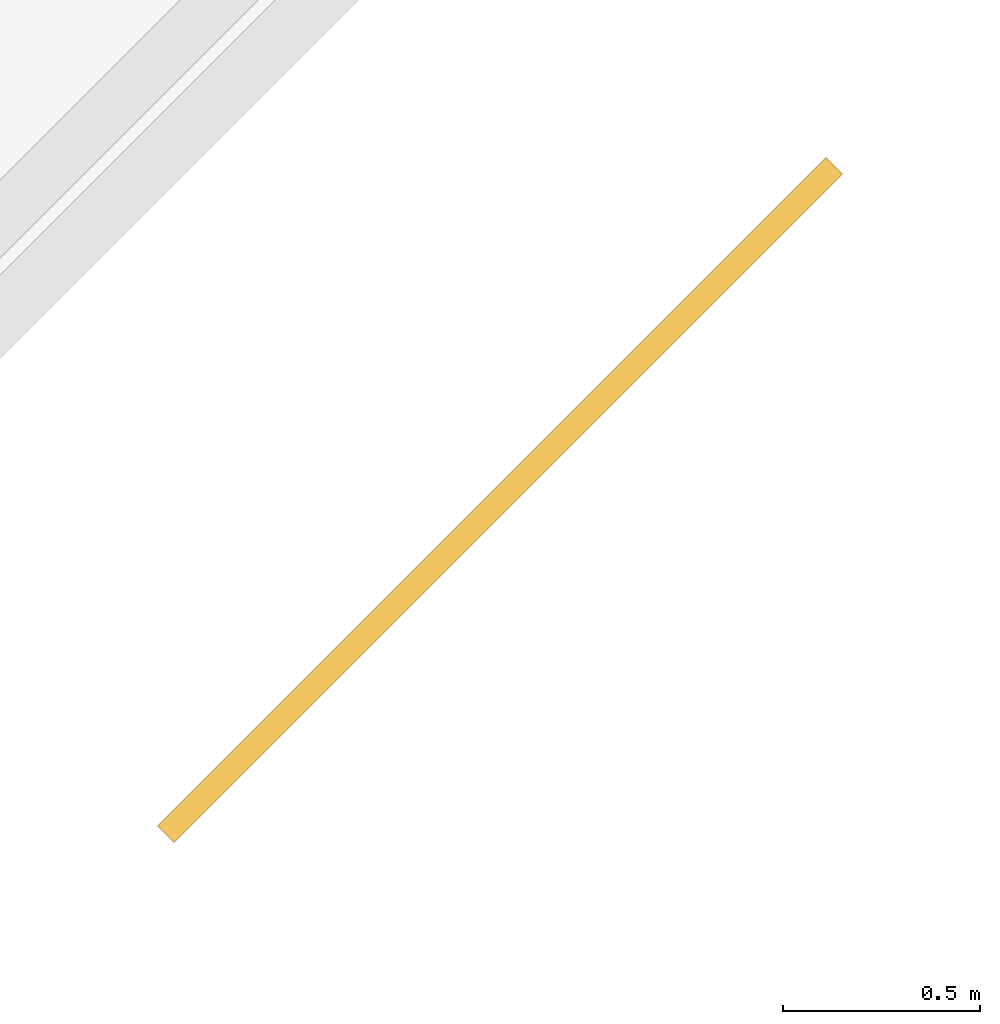
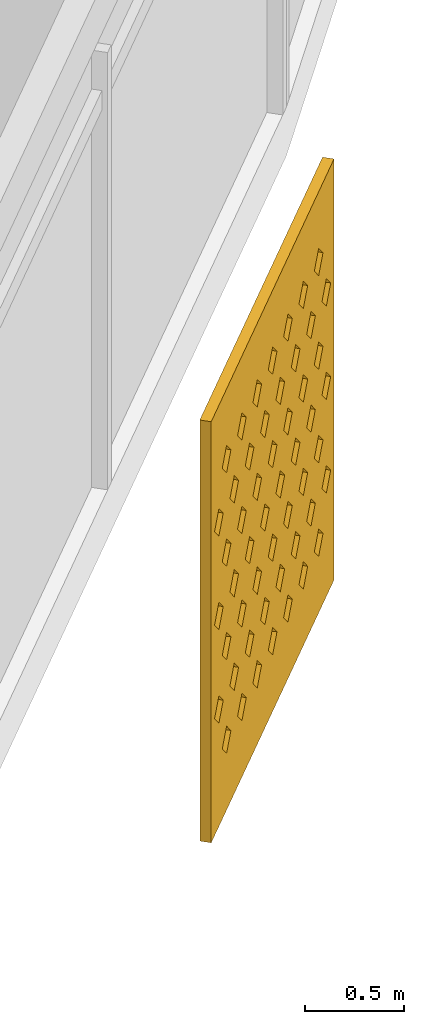
# One storey, part 30 of 30: 1 shading device.
"""IFC4 building model written with IfcOpenShell, lengths in metres."""

from ifc_helpers import new_model, si_unit, direction, frame, origin, place, context, subcontext, project, spatial, polyline, outline, extrude, material, material_profile, profile_set, type_object, element, save


model = new_model("IFC4")

# Units and contexts
model_context = context("Model", 3, precision=1e-05, world=origin(), true_north=direction((0.0, 1.0)))
body_context = subcontext(model_context, "Body", "Model", "MODEL_VIEW")
ifc_project = project(units=[si_unit("LENGTHUNIT", "METRE"), si_unit("AREAUNIT", "SQUARE_METRE"), si_unit("VOLUMEUNIT", "CUBIC_METRE"), si_unit("PLANEANGLEUNIT", "RADIAN"), si_unit("MASSUNIT", "GRAM", prefix="KILO")], contexts=[model_context])

# Site, building, storey
site_placement = place(None, origin())
site = spatial("IfcSite", under=ifc_project, at=site_placement, CompositionType="ELEMENT")
building_placement = place(site_placement, origin())
building = spatial("IfcBuilding", under=site, at=building_placement, Name="Qamariyya Broadcast Tower", CompositionType="ELEMENT")
storey_placement = place(building_placement, frame((0.0, 0.0, 98.699951171875)))
storey = spatial("IfcBuildingStorey", under=building, at=storey_placement, Name="L21", CompositionType="ELEMENT", Elevation=98.699951171875)

# Shading device
ifc_material = material(Name="Perforated glazed terracotta", Category="masonry")
ifc_material_profile = material_profile(ifc_material, outline(polyline([(-1.199951171875, -1.300048828125), (1.199951171875, -1.300048828125), (1.199951171875, 1.300048828125), (-1.199951171875, 1.300048828125), (-1.199951171875, -1.300048828125)]), holes=[polyline([(-0.81494140625, -0.86669921875), (-0.89990234375, -0.78173828125), (-0.985107421875, -0.86669921875), (-0.89990234375, -0.95166015625), (-0.81494140625, -0.86669921875)]), polyline([(-0.514892578125, -0.86669921875), (-0.60009765625, -0.78173828125), (-0.68505859375, -0.86669921875), (-0.60009765625, -0.95166015625), (-0.514892578125, -0.86669921875)]), polyline([(-0.215087890625, -0.86669921875), (-0.300048828125, -0.78173828125), (-0.385009765625, -0.86669921875), (-0.300048828125, -0.95166015625), (-0.215087890625, -0.86669921875)]), polyline([(0.0849609375, -0.86669921875), (0.0, -0.78173828125), (-0.0849609375, -0.86669921875), (0.0, -0.95166015625), (0.0849609375, -0.86669921875)]), polyline([(0.385009765625, -0.86669921875), (0.300048828125, -0.78173828125), (0.215087890625, -0.86669921875), (0.300048828125, -0.95166015625), (0.385009765625, -0.86669921875)]), polyline([(0.68505859375, -0.86669921875), (0.60009765625, -0.78173828125), (0.514892578125, -0.86669921875), (0.60009765625, -0.95166015625), (0.68505859375, -0.86669921875)]), polyline([(0.985107421875, -0.86669921875), (0.89990234375, -0.78173828125), (0.81494140625, -0.86669921875), (0.89990234375, -0.95166015625), (0.985107421875, -0.86669921875)]), polyline([(-0.965087890625, -0.577880859375), (-1.050048828125, -0.49267578125), (-1.135009765625, -0.577880859375), (-1.050048828125, -0.662841796875), (-0.965087890625, -0.577880859375)]), polyline([(-0.6650390625, -0.577880859375), (-0.75, -0.49267578125), (-0.8349609375, -0.577880859375), (-0.75, -0.662841796875), (-0.6650390625, -0.577880859375)]), polyline([(-0.364990234375, -0.577880859375), (-0.449951171875, -0.49267578125), (-0.534912109375, -0.577880859375), (-0.449951171875, -0.662841796875), (-0.364990234375, -0.577880859375)]), polyline([(-0.06494140625, -0.577880859375), (-0.14990234375, -0.49267578125), (-0.235107421875, -0.577880859375), (-0.14990234375, -0.662841796875), (-0.06494140625, -0.577880859375)]), polyline([(0.235107421875, -0.577880859375), (0.14990234375, -0.49267578125), (0.06494140625, -0.577880859375), (0.14990234375, -0.662841796875), (0.235107421875, -0.577880859375)]), polyline([(0.534912109375, -0.577880859375), (0.449951171875, -0.49267578125), (0.364990234375, -0.577880859375), (0.449951171875, -0.662841796875), (0.534912109375, -0.577880859375)]), polyline([(0.8349609375, -0.577880859375), (0.75, -0.49267578125), (0.6650390625, -0.577880859375), (0.75, -0.662841796875), (0.8349609375, -0.577880859375)]), polyline([(1.135009765625, -0.577880859375), (1.050048828125, -0.49267578125), (0.965087890625, -0.577880859375), (1.050048828125, -0.662841796875), (1.135009765625, -0.577880859375)]), polyline([(-0.81494140625, -0.288818359375), (-0.89990234375, -0.203857421875), (-0.985107421875, -0.288818359375), (-0.89990234375, -0.373779296875), (-0.81494140625, -0.288818359375)]), polyline([(-0.514892578125, -0.288818359375), (-0.60009765625, -0.203857421875), (-0.68505859375, -0.288818359375), (-0.60009765625, -0.373779296875), (-0.514892578125, -0.288818359375)]), polyline([(-0.215087890625, -0.288818359375), (-0.300048828125, -0.203857421875), (-0.385009765625, -0.288818359375), (-0.300048828125, -0.373779296875), (-0.215087890625, -0.288818359375)]), polyline([(0.0849609375, -0.288818359375), (0.0, -0.203857421875), (-0.0849609375, -0.288818359375), (0.0, -0.373779296875), (0.0849609375, -0.288818359375)]), polyline([(0.385009765625, -0.288818359375), (0.300048828125, -0.203857421875), (0.215087890625, -0.288818359375), (0.300048828125, -0.373779296875), (0.385009765625, -0.288818359375)]), polyline([(0.68505859375, -0.288818359375), (0.60009765625, -0.203857421875), (0.514892578125, -0.288818359375), (0.60009765625, -0.373779296875), (0.68505859375, -0.288818359375)]), polyline([(0.985107421875, -0.288818359375), (0.89990234375, -0.203857421875), (0.81494140625, -0.288818359375), (0.89990234375, -0.373779296875), (0.985107421875, -0.288818359375)]), polyline([(-0.965087890625, 0.0), (-1.050048828125, 0.0849609375), (-1.135009765625, 0.0), (-1.050048828125, -0.0849609375), (-0.965087890625, 0.0)]), polyline([(-0.6650390625, 0.0), (-0.75, 0.0849609375), (-0.8349609375, 0.0), (-0.75, -0.0849609375), (-0.6650390625, 0.0)]), polyline([(-0.364990234375, 0.0), (-0.449951171875, 0.0849609375), (-0.534912109375, 0.0), (-0.449951171875, -0.0849609375), (-0.364990234375, 0.0)]), polyline([(-0.06494140625, 0.0), (-0.14990234375, 0.0849609375), (-0.235107421875, 0.0), (-0.14990234375, -0.0849609375), (-0.06494140625, 0.0)]), polyline([(0.235107421875, 0.0), (0.14990234375, 0.0849609375), (0.06494140625, 0.0), (0.14990234375, -0.0849609375), (0.235107421875, 0.0)]), polyline([(0.534912109375, 0.0), (0.449951171875, 0.0849609375), (0.364990234375, 0.0), (0.449951171875, -0.0849609375), (0.534912109375, 0.0)]), polyline([(0.8349609375, 0.0), (0.75, 0.0849609375), (0.6650390625, 0.0), (0.75, -0.0849609375), (0.8349609375, 0.0)]), polyline([(1.135009765625, 0.0), (1.050048828125, 0.0849609375), (0.965087890625, 0.0), (1.050048828125, -0.0849609375), (1.135009765625, 0.0)]), polyline([(-0.81494140625, 0.288818359375), (-0.89990234375, 0.373779296875), (-0.985107421875, 0.288818359375), (-0.89990234375, 0.203857421875), (-0.81494140625, 0.288818359375)]), polyline([(-0.514892578125, 0.288818359375), (-0.60009765625, 0.373779296875), (-0.68505859375, 0.288818359375), (-0.60009765625, 0.203857421875), (-0.514892578125, 0.288818359375)]), polyline([(-0.215087890625, 0.288818359375), (-0.300048828125, 0.373779296875), (-0.385009765625, 0.288818359375), (-0.300048828125, 0.203857421875), (-0.215087890625, 0.288818359375)]), polyline([(0.0849609375, 0.288818359375), (0.0, 0.373779296875), (-0.0849609375, 0.288818359375), (0.0, 0.203857421875), (0.0849609375, 0.288818359375)]), polyline([(0.385009765625, 0.288818359375), (0.300048828125, 0.373779296875), (0.215087890625, 0.288818359375), (0.300048828125, 0.203857421875), (0.385009765625, 0.288818359375)]), polyline([(0.68505859375, 0.288818359375), (0.60009765625, 0.373779296875), (0.514892578125, 0.288818359375), (0.60009765625, 0.203857421875), (0.68505859375, 0.288818359375)]), polyline([(0.985107421875, 0.288818359375), (0.89990234375, 0.373779296875), (0.81494140625, 0.288818359375), (0.89990234375, 0.203857421875), (0.985107421875, 0.288818359375)]), polyline([(-0.965087890625, 0.577880859375), (-1.050048828125, 0.662841796875), (-1.135009765625, 0.577880859375), (-1.050048828125, 0.49267578125), (-0.965087890625, 0.577880859375)]), polyline([(-0.6650390625, 0.577880859375), (-0.75, 0.662841796875), (-0.8349609375, 0.577880859375), (-0.75, 0.49267578125), (-0.6650390625, 0.577880859375)]), polyline([(-0.364990234375, 0.577880859375), (-0.449951171875, 0.662841796875), (-0.534912109375, 0.577880859375), (-0.449951171875, 0.49267578125), (-0.364990234375, 0.577880859375)]), polyline([(-0.06494140625, 0.577880859375), (-0.14990234375, 0.662841796875), (-0.235107421875, 0.577880859375), (-0.14990234375, 0.49267578125), (-0.06494140625, 0.577880859375)]), polyline([(0.235107421875, 0.577880859375), (0.14990234375, 0.662841796875), (0.06494140625, 0.577880859375), (0.14990234375, 0.49267578125), (0.235107421875, 0.577880859375)]), polyline([(0.534912109375, 0.577880859375), (0.449951171875, 0.662841796875), (0.364990234375, 0.577880859375), (0.449951171875, 0.49267578125), (0.534912109375, 0.577880859375)]), polyline([(0.8349609375, 0.577880859375), (0.75, 0.662841796875), (0.6650390625, 0.577880859375), (0.75, 0.49267578125), (0.8349609375, 0.577880859375)]), polyline([(1.135009765625, 0.577880859375), (1.050048828125, 0.662841796875), (0.965087890625, 0.577880859375), (1.050048828125, 0.49267578125), (1.135009765625, 0.577880859375)]), polyline([(-0.81494140625, 0.86669921875), (-0.89990234375, 0.95166015625), (-0.985107421875, 0.86669921875), (-0.89990234375, 0.78173828125), (-0.81494140625, 0.86669921875)]), polyline([(-0.514892578125, 0.86669921875), (-0.60009765625, 0.95166015625), (-0.68505859375, 0.86669921875), (-0.60009765625, 0.78173828125), (-0.514892578125, 0.86669921875)]), polyline([(-0.215087890625, 0.86669921875), (-0.300048828125, 0.95166015625), (-0.385009765625, 0.86669921875), (-0.300048828125, 0.78173828125), (-0.215087890625, 0.86669921875)]), polyline([(0.0849609375, 0.86669921875), (0.0, 0.95166015625), (-0.0849609375, 0.86669921875), (0.0, 0.78173828125), (0.0849609375, 0.86669921875)]), polyline([(0.385009765625, 0.86669921875), (0.300048828125, 0.95166015625), (0.215087890625, 0.86669921875), (0.300048828125, 0.78173828125), (0.385009765625, 0.86669921875)]), polyline([(0.68505859375, 0.86669921875), (0.60009765625, 0.95166015625), (0.514892578125, 0.86669921875), (0.60009765625, 0.78173828125), (0.68505859375, 0.86669921875)]), polyline([(0.985107421875, 0.86669921875), (0.89990234375, 0.95166015625), (0.81494140625, 0.86669921875), (0.89990234375, 0.78173828125), (0.985107421875, 0.86669921875)])]))
ifc_profile_set = profile_set([ifc_material_profile], Name="Perforated glazed terracotta")
shading_device_type = type_object("IfcShadingDeviceType", Name="Perforated terracotta screen 2400 x 2600", PredefinedType="USERDEFINED", material=ifc_profile_set)
shading_device_placement = place(storey_placement, frame((56.818603515625, -56.884521484375, 1.35009765625), z_axis=(0.707106781187, -0.707106781187, 0.0), x_axis=(0.707106781187, 0.707106781187, 0.0)))
element("IfcShadingDevice", 1, at=shading_device_placement, inside=storey, type_object=shading_device_type, Name="e-scr-L21-15-1", ObjectType="SCREEN", PredefinedType="USERDEFINED", context=body_context, shape_type="SweptSolid", body=[
    extrude(outline(polyline([(-1.199951171875, -1.300048828125), (1.199951171875, -1.300048828125), (1.199951171875, 1.300048828125), (-1.199951171875, 1.300048828125), (-1.199951171875, -1.300048828125)]), holes=[polyline([(-0.81494140625, -0.86669921875), (-0.89990234375, -0.78173828125), (-0.985107421875, -0.86669921875), (-0.89990234375, -0.95166015625), (-0.81494140625, -0.86669921875)]), polyline([(-0.514892578125, -0.86669921875), (-0.60009765625, -0.78173828125), (-0.68505859375, -0.86669921875), (-0.60009765625, -0.95166015625), (-0.514892578125, -0.86669921875)]), polyline([(-0.215087890625, -0.86669921875), (-0.300048828125, -0.78173828125), (-0.385009765625, -0.86669921875), (-0.300048828125, -0.95166015625), (-0.215087890625, -0.86669921875)]), polyline([(0.0849609375, -0.86669921875), (0.0, -0.78173828125), (-0.0849609375, -0.86669921875), (0.0, -0.95166015625), (0.0849609375, -0.86669921875)]), polyline([(0.385009765625, -0.86669921875), (0.300048828125, -0.78173828125), (0.215087890625, -0.86669921875), (0.300048828125, -0.95166015625), (0.385009765625, -0.86669921875)]), polyline([(0.68505859375, -0.86669921875), (0.60009765625, -0.78173828125), (0.514892578125, -0.86669921875), (0.60009765625, -0.95166015625), (0.68505859375, -0.86669921875)]), polyline([(0.985107421875, -0.86669921875), (0.89990234375, -0.78173828125), (0.81494140625, -0.86669921875), (0.89990234375, -0.95166015625), (0.985107421875, -0.86669921875)]), polyline([(-0.965087890625, -0.577880859375), (-1.050048828125, -0.49267578125), (-1.135009765625, -0.577880859375), (-1.050048828125, -0.662841796875), (-0.965087890625, -0.577880859375)]), polyline([(-0.6650390625, -0.577880859375), (-0.75, -0.49267578125), (-0.8349609375, -0.577880859375), (-0.75, -0.662841796875), (-0.6650390625, -0.577880859375)]), polyline([(-0.364990234375, -0.577880859375), (-0.449951171875, -0.49267578125), (-0.534912109375, -0.577880859375), (-0.449951171875, -0.662841796875), (-0.364990234375, -0.577880859375)]), polyline([(-0.06494140625, -0.577880859375), (-0.14990234375, -0.49267578125), (-0.235107421875, -0.577880859375), (-0.14990234375, -0.662841796875), (-0.06494140625, -0.577880859375)]), polyline([(0.235107421875, -0.577880859375), (0.14990234375, -0.49267578125), (0.06494140625, -0.577880859375), (0.14990234375, -0.662841796875), (0.235107421875, -0.577880859375)]), polyline([(0.534912109375, -0.577880859375), (0.449951171875, -0.49267578125), (0.364990234375, -0.577880859375), (0.449951171875, -0.662841796875), (0.534912109375, -0.577880859375)]), polyline([(0.8349609375, -0.577880859375), (0.75, -0.49267578125), (0.6650390625, -0.577880859375), (0.75, -0.662841796875), (0.8349609375, -0.577880859375)]), polyline([(1.135009765625, -0.577880859375), (1.050048828125, -0.49267578125), (0.965087890625, -0.577880859375), (1.050048828125, -0.662841796875), (1.135009765625, -0.577880859375)]), polyline([(-0.81494140625, -0.288818359375), (-0.89990234375, -0.203857421875), (-0.985107421875, -0.288818359375), (-0.89990234375, -0.373779296875), (-0.81494140625, -0.288818359375)]), polyline([(-0.514892578125, -0.288818359375), (-0.60009765625, -0.203857421875), (-0.68505859375, -0.288818359375), (-0.60009765625, -0.373779296875), (-0.514892578125, -0.288818359375)]), polyline([(-0.215087890625, -0.288818359375), (-0.300048828125, -0.203857421875), (-0.385009765625, -0.288818359375), (-0.300048828125, -0.373779296875), (-0.215087890625, -0.288818359375)]), polyline([(0.0849609375, -0.288818359375), (0.0, -0.203857421875), (-0.0849609375, -0.288818359375), (0.0, -0.373779296875), (0.0849609375, -0.288818359375)]), polyline([(0.385009765625, -0.288818359375), (0.300048828125, -0.203857421875), (0.215087890625, -0.288818359375), (0.300048828125, -0.373779296875), (0.385009765625, -0.288818359375)]), polyline([(0.68505859375, -0.288818359375), (0.60009765625, -0.203857421875), (0.514892578125, -0.288818359375), (0.60009765625, -0.373779296875), (0.68505859375, -0.288818359375)]), polyline([(0.985107421875, -0.288818359375), (0.89990234375, -0.203857421875), (0.81494140625, -0.288818359375), (0.89990234375, -0.373779296875), (0.985107421875, -0.288818359375)]), polyline([(-0.965087890625, 0.0), (-1.050048828125, 0.0849609375), (-1.135009765625, 0.0), (-1.050048828125, -0.0849609375), (-0.965087890625, 0.0)]), polyline([(-0.6650390625, 0.0), (-0.75, 0.0849609375), (-0.8349609375, 0.0), (-0.75, -0.0849609375), (-0.6650390625, 0.0)]), polyline([(-0.364990234375, 0.0), (-0.449951171875, 0.0849609375), (-0.534912109375, 0.0), (-0.449951171875, -0.0849609375), (-0.364990234375, 0.0)]), polyline([(-0.06494140625, 0.0), (-0.14990234375, 0.0849609375), (-0.235107421875, 0.0), (-0.14990234375, -0.0849609375), (-0.06494140625, 0.0)]), polyline([(0.235107421875, 0.0), (0.14990234375, 0.0849609375), (0.06494140625, 0.0), (0.14990234375, -0.0849609375), (0.235107421875, 0.0)]), polyline([(0.534912109375, 0.0), (0.449951171875, 0.0849609375), (0.364990234375, 0.0), (0.449951171875, -0.0849609375), (0.534912109375, 0.0)]), polyline([(0.8349609375, 0.0), (0.75, 0.0849609375), (0.6650390625, 0.0), (0.75, -0.0849609375), (0.8349609375, 0.0)]), polyline([(1.135009765625, 0.0), (1.050048828125, 0.0849609375), (0.965087890625, 0.0), (1.050048828125, -0.0849609375), (1.135009765625, 0.0)]), polyline([(-0.81494140625, 0.288818359375), (-0.89990234375, 0.373779296875), (-0.985107421875, 0.288818359375), (-0.89990234375, 0.203857421875), (-0.81494140625, 0.288818359375)]), polyline([(-0.514892578125, 0.288818359375), (-0.60009765625, 0.373779296875), (-0.68505859375, 0.288818359375), (-0.60009765625, 0.203857421875), (-0.514892578125, 0.288818359375)]), polyline([(-0.215087890625, 0.288818359375), (-0.300048828125, 0.373779296875), (-0.385009765625, 0.288818359375), (-0.300048828125, 0.203857421875), (-0.215087890625, 0.288818359375)]), polyline([(0.0849609375, 0.288818359375), (0.0, 0.373779296875), (-0.0849609375, 0.288818359375), (0.0, 0.203857421875), (0.0849609375, 0.288818359375)]), polyline([(0.385009765625, 0.288818359375), (0.300048828125, 0.373779296875), (0.215087890625, 0.288818359375), (0.300048828125, 0.203857421875), (0.385009765625, 0.288818359375)]), polyline([(0.68505859375, 0.288818359375), (0.60009765625, 0.373779296875), (0.514892578125, 0.288818359375), (0.60009765625, 0.203857421875), (0.68505859375, 0.288818359375)]), polyline([(0.985107421875, 0.288818359375), (0.89990234375, 0.373779296875), (0.81494140625, 0.288818359375), (0.89990234375, 0.203857421875), (0.985107421875, 0.288818359375)]), polyline([(-0.965087890625, 0.577880859375), (-1.050048828125, 0.662841796875), (-1.135009765625, 0.577880859375), (-1.050048828125, 0.49267578125), (-0.965087890625, 0.577880859375)]), polyline([(-0.6650390625, 0.577880859375), (-0.75, 0.662841796875), (-0.8349609375, 0.577880859375), (-0.75, 0.49267578125), (-0.6650390625, 0.577880859375)]), polyline([(-0.364990234375, 0.577880859375), (-0.449951171875, 0.662841796875), (-0.534912109375, 0.577880859375), (-0.449951171875, 0.49267578125), (-0.364990234375, 0.577880859375)]), polyline([(-0.06494140625, 0.577880859375), (-0.14990234375, 0.662841796875), (-0.235107421875, 0.577880859375), (-0.14990234375, 0.49267578125), (-0.06494140625, 0.577880859375)]), polyline([(0.235107421875, 0.577880859375), (0.14990234375, 0.662841796875), (0.06494140625, 0.577880859375), (0.14990234375, 0.49267578125), (0.235107421875, 0.577880859375)]), polyline([(0.534912109375, 0.577880859375), (0.449951171875, 0.662841796875), (0.364990234375, 0.577880859375), (0.449951171875, 0.49267578125), (0.534912109375, 0.577880859375)]), polyline([(0.8349609375, 0.577880859375), (0.75, 0.662841796875), (0.6650390625, 0.577880859375), (0.75, 0.49267578125), (0.8349609375, 0.577880859375)]), polyline([(1.135009765625, 0.577880859375), (1.050048828125, 0.662841796875), (0.965087890625, 0.577880859375), (1.050048828125, 0.49267578125), (1.135009765625, 0.577880859375)]), polyline([(-0.81494140625, 0.86669921875), (-0.89990234375, 0.95166015625), (-0.985107421875, 0.86669921875), (-0.89990234375, 0.78173828125), (-0.81494140625, 0.86669921875)]), polyline([(-0.514892578125, 0.86669921875), (-0.60009765625, 0.95166015625), (-0.68505859375, 0.86669921875), (-0.60009765625, 0.78173828125), (-0.514892578125, 0.86669921875)]), polyline([(-0.215087890625, 0.86669921875), (-0.300048828125, 0.95166015625), (-0.385009765625, 0.86669921875), (-0.300048828125, 0.78173828125), (-0.215087890625, 0.86669921875)]), polyline([(0.0849609375, 0.86669921875), (0.0, 0.95166015625), (-0.0849609375, 0.86669921875), (0.0, 0.78173828125), (0.0849609375, 0.86669921875)]), polyline([(0.385009765625, 0.86669921875), (0.300048828125, 0.95166015625), (0.215087890625, 0.86669921875), (0.300048828125, 0.78173828125), (0.385009765625, 0.86669921875)]), polyline([(0.68505859375, 0.86669921875), (0.60009765625, 0.95166015625), (0.514892578125, 0.86669921875), (0.60009765625, 0.78173828125), (0.68505859375, 0.86669921875)]), polyline([(0.985107421875, 0.86669921875), (0.89990234375, 0.95166015625), (0.81494140625, 0.86669921875), (0.89990234375, 0.78173828125), (0.985107421875, 0.86669921875)])]), origin(), (0.0, 0.0, 1.0), 0.06005859375),
])

save(model, "model.ifc")
